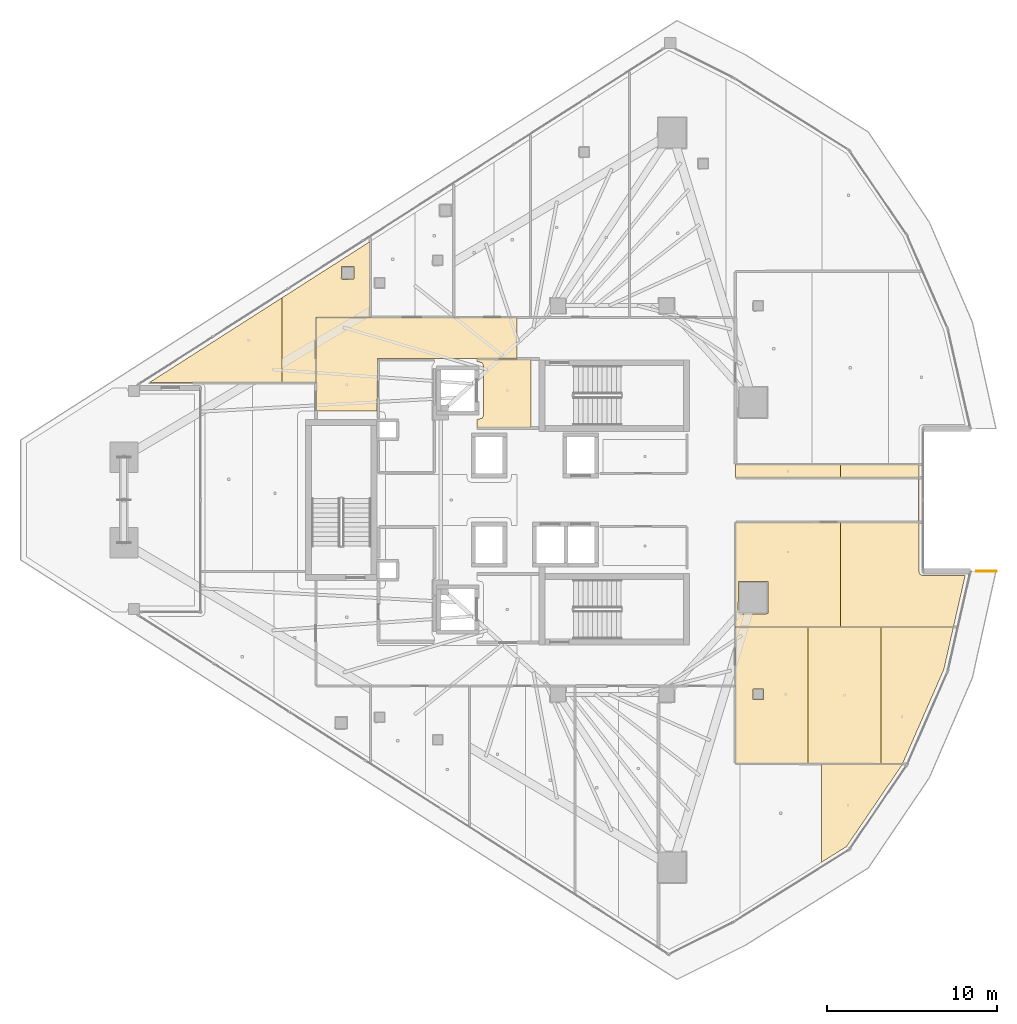
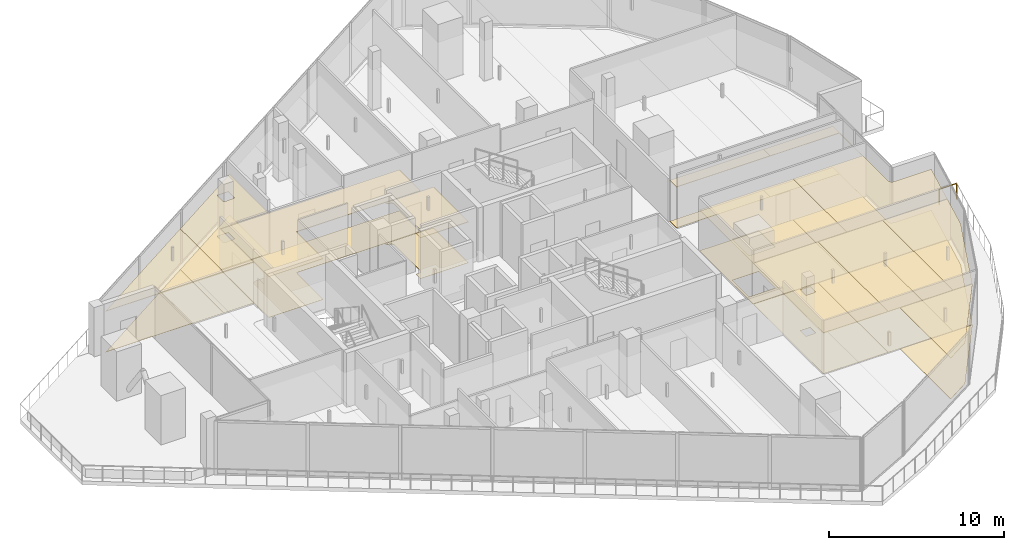
# One storey, part 34 of 36: 22 coverings, 1 railing.
"""IFC4 building model written with IfcOpenShell, lengths in metres."""

from ifc_helpers import new_model, si_unit, direction, frame, origin, origin_2d, place, context, subcontext, project, spatial, polyline, circle, outline, extrude, material, layer, layer_set, type_object, element, save


model = new_model("IFC4")

# Units and contexts
model_context = context("Model", 3, precision=1e-05, world=origin(), true_north=direction((0.0, 1.0)))
body_context = subcontext(model_context, "Body", "Model", "MODEL_VIEW")
ifc_project = project(units=[si_unit("LENGTHUNIT", "METRE"), si_unit("AREAUNIT", "SQUARE_METRE"), si_unit("VOLUMEUNIT", "CUBIC_METRE"), si_unit("PLANEANGLEUNIT", "RADIAN"), si_unit("MASSUNIT", "GRAM", prefix="KILO")], contexts=[model_context])

# Site, building, storey
site_placement = place(None, origin())
site = spatial("IfcSite", under=ifc_project, at=site_placement, CompositionType="ELEMENT")
building_placement = place(site_placement, origin())
building = spatial("IfcBuilding", under=site, at=building_placement, Name="Qorvath Tower", CompositionType="ELEMENT")
storey_placement = place(building_placement, frame((0.0, 0.0, 229.35009765625)))
storey = spatial("IfcBuildingStorey", under=building, at=storey_placement, Name="L53", CompositionType="ELEMENT", Elevation=229.35009765625)

# Coverings
ifc_material_1 = material(Name="Acoustic mineral fibre ceiling tile", Category="gypsum")
ifc_layer_1 = layer(ifc_material_1, 0.030029296875)
ifc_layer_set_1 = layer_set([ifc_layer_1], Name="COV-CEIL")
covering_type_1 = type_object("IfcCoveringType", Name="COV-CEIL", PredefinedType="CEILING", material=ifc_layer_set_1)
covering_1_placement = place(storey_placement, frame((0.0, 0.0, 2.849853515625)))
element("IfcCovering", 1, at=covering_1_placement, inside=storey, type_object=covering_type_1, Name="L53 Suspended Acoustic Ceiling 001", PredefinedType="CEILING", context=body_context, shape_type="SweptSolid", body=[
    extrude(outline(polyline([(-25.18994140625, 4.2548828125), (-25.18994140625, 8.294921875), (-28.375, 8.294921875), (-28.375, 8.159912109375), (-28.063232421875, 8.086669921875), (-27.989990234375, 7.909912109375), (-27.989990234375, 4.989990234375), (-28.063232421875, 4.813232421875), (-28.375, 4.739990234375), (-28.375, 4.2548828125), (-25.18994140625, 4.2548828125)])), origin(), (0.0, 0.0, 1.0), 0.030029296875),
])
covering_2_placement = place(storey_placement, frame((0.0, 0.0, 2.849853515625)))
element("IfcCovering", 2, at=covering_2_placement, inside=storey, type_object=covering_type_1, Name="L53 Suspended Acoustic Ceiling 008", PredefinedType="CEILING", context=body_context, shape_type="SweptSolid", body=[
    extrude(outline(polyline([(-26.019775390625, 8.324951171875), (-26.019775390625, 10.7451171875), (-37.844970703125, 10.7451171875), (-37.844970703125, 5.239990234375), (-34.2509765625, 5.239990234375), (-34.219970703125, 8.324951171875), (-26.019775390625, 8.324951171875)])), origin(), (0.0, 0.0, 1.0), 0.030029296875),
])
covering_3_placement = place(storey_placement, frame((0.0, 0.0, 2.849853515625)))
element("IfcCovering", 3, at=covering_3_placement, inside=storey, type_object=covering_type_1, Name="L53 Suspended Acoustic Ceiling 027", PredefinedType="CEILING", context=body_context, shape_type="SweptSolid", body=[
    extrude(outline(polyline([(-8.0791015625, -15.5419921875), (-8.0791015625, -21.34765625), (-6.59765625, -20.419921875), (-3.287353515625, -15.550048828125), (-8.0791015625, -15.5419921875)])), origin(), (0.0, 0.0, 1.0), 0.030029296875),
])
covering_4_placement = place(storey_placement, frame((0.0, 0.0, 2.849853515625)))
element("IfcCovering", 4, at=covering_4_placement, inside=storey, type_object=covering_type_1, Name="L53 Suspended Acoustic Ceiling 028", PredefinedType="CEILING", context=body_context, shape_type="SweptSolid", body=[
    extrude(outline(polyline([(-13.136962890625, -15.515869140625), (-8.857177734375, -15.522705078125), (-8.857177734375, -7.48583984375), (-13.136962890625, -7.48583984375), (-13.136962890625, -15.515869140625)]), holes=[polyline([(-12.117431640625, -11.767333984375), (-12.117431640625, -11.132568359375), (-11.482666015625, -11.132568359375), (-11.482666015625, -11.767333984375), (-12.117431640625, -11.767333984375)])]), origin(), (0.0, 0.0, 1.0), 0.030029296875),
])
covering_5_placement = place(storey_placement, frame((0.0, 0.0, 2.849853515625)))
element("IfcCovering", 5, at=covering_5_placement, inside=storey, type_object=covering_type_1, Name="L53 Suspended Acoustic Ceiling 029", PredefinedType="CEILING", context=body_context, shape_type="SweptSolid", body=[
    extrude(outline(polyline([(-8.857177734375, -7.48583984375), (-8.857177734375, -15.522705078125), (-4.57763671875, -15.52978515625), (-4.57763671875, -7.48583984375), (-8.857177734375, -7.48583984375)])), origin(), (0.0, 0.0, 1.0), 0.030029296875),
])
covering_6_placement = place(storey_placement, frame((0.0, 0.0, 2.849853515625)))
element("IfcCovering", 6, at=covering_6_placement, inside=storey, type_object=covering_type_1, Name="L53 Suspended Acoustic Ceiling 030", PredefinedType="CEILING", context=body_context, shape_type="SweptSolid", body=[
    extrude(outline(polyline([(-4.57763671875, -7.48583984375), (-4.57763671875, -15.52978515625), (-3.292724609375, -15.531982421875), (-0.86962890625, -9.998291015625), (-0.2978515625, -7.48583984375), (-4.57763671875, -7.48583984375)])), origin(), (0.0, 0.0, 1.0), 0.030029296875),
])
covering_7_placement = place(storey_placement, frame((0.0, 0.0, 2.849853515625)))
element("IfcCovering", 7, at=covering_7_placement, inside=storey, type_object=covering_type_1, Name="L53 Suspended Acoustic Ceiling 031", PredefinedType="CEILING", context=body_context, shape_type="SweptSolid", body=[
    extrude(outline(polyline([(-6.946533203125, -7.4677734375), (-6.946533203125, -1.31005859375), (-13.136962890625, -1.31298828125), (-13.136962890625, -7.4677734375), (-6.946533203125, -7.4677734375)]), holes=[polyline([(-12.981689453125, -6.657958984375), (-12.964111328125, -4.8154296875), (-11.2294921875, -4.8154296875), (-11.2294921875, -6.700439453125), (-12.921875, -6.718017578125), (-12.981689453125, -6.657958984375)])]), origin(), (0.0, 0.0, 1.0), 0.030029296875),
])
covering_8_placement = place(storey_placement, frame((0.0, 0.0, 2.849853515625)))
element("IfcCovering", 8, at=covering_8_placement, inside=storey, type_object=covering_type_1, Name="L53 Suspended Acoustic Ceiling 032", PredefinedType="CEILING", context=body_context, shape_type="SweptSolid", body=[
    extrude(outline(polyline([(-6.946533203125, 1.31298828125), (-6.946533203125, 2.09033203125), (-13.136962890625, 2.09033203125), (-13.136962890625, 1.31298828125), (-6.946533203125, 1.31298828125)])), origin(), (0.0, 0.0, 1.0), 0.030029296875),
])
covering_9_placement = place(storey_placement, frame((0.0, 0.0, 2.849853515625)))
element("IfcCovering", 9, at=covering_9_placement, inside=storey, type_object=covering_type_1, Name="L53 Suspended Acoustic Ceiling 033", PredefinedType="CEILING", context=body_context, shape_type="SweptSolid", body=[
    extrude(outline(polyline([(-2.247314453125, -4.3916015625), (-2.334716796875, -4.24462890625), (-2.339599609375, 2.09033203125), (-6.946533203125, 2.09033203125), (-6.946533203125, 1.31298828125), (-2.3564453125, 1.31298828125), (-2.3515625, -1.30810546875), (-6.946533203125, -1.31005859375), (-6.946533203125, -7.4677734375), (-0.293701171875, -7.4677734375), (0.39306640625, -4.45068359375), (-2.10888671875, -4.44970703125), (-2.247314453125, -4.3916015625)])), origin(), (0.0, 0.0, 1.0), 0.030029296875),
])
covering_10_placement = place(storey_placement, frame((0.0, 0.0, 2.849853515625)))
element("IfcCovering", 10, at=covering_10_placement, inside=storey, type_object=covering_type_1, Name="L53 Suspended Acoustic Ceiling 041", PredefinedType="CEILING", context=body_context, shape_type="SweptSolid", body=[
    extrude(outline(polyline([(-39.851318359375, 6.923828125), (-39.851318359375, 11.915283203125), (-47.6611328125, 6.923828125), (-39.851318359375, 6.923828125)])), origin(), (0.0, 0.0, 1.0), 0.030029296875),
])
covering_11_placement = place(storey_placement, frame((0.0, 0.0, 2.849853515625)))
element("IfcCovering", 11, at=covering_11_placement, inside=storey, type_object=covering_type_1, Name="L53 Suspended Acoustic Ceiling 042", PredefinedType="CEILING", context=body_context, shape_type="SweptSolid", body=[
    extrude(outline(polyline([(-37.85791015625, 10.762939453125), (-34.6630859375, 10.762939453125), (-34.6630859375, 15.231201171875), (-39.851318359375, 11.915283203125), (-39.851318359375, 6.923828125), (-37.863037109375, 6.923828125), (-37.85791015625, 10.762939453125)]), holes=[polyline([(-36.36572265625, 13.055908203125), (-36.34814453125, 13.748291015625), (-35.61328125, 13.748291015625), (-35.61328125, 13.013427734375), (-36.3056640625, 12.995849609375), (-36.36572265625, 13.055908203125)])]), origin(), (0.0, 0.0, 1.0), 0.030029296875),
])
ifc_material_2 = material(Name="Low-VOC modular carpet tile", Category="textile")
ifc_layer_2 = layer(ifc_material_2, 0.014892578125)
ifc_layer_set_2 = layer_set([ifc_layer_2], Name="COV-FLOOR-CPT")
covering_type_2 = type_object("IfcCoveringType", Name="COV-FLOOR-CPT", PredefinedType="FLOORING", material=ifc_layer_set_2)
covering_12_placement = place(storey_placement, origin())
element("IfcCovering", 12, at=covering_12_placement, inside=storey, type_object=covering_type_2, Name="L53 Floor Finish 027", PredefinedType="FLOORING", context=body_context, shape_type="SweptSolid", body=[
    extrude(outline(polyline([(-8.0791015625, -15.5419921875), (-8.0791015625, -21.34765625), (-6.59765625, -20.419921875), (-3.287353515625, -15.550048828125), (-8.0791015625, -15.5419921875)])), origin(), (0.0, 0.0, 1.0), 0.014892578125),
])
covering_13_placement = place(storey_placement, origin())
element("IfcCovering", 13, at=covering_13_placement, inside=storey, type_object=covering_type_2, Name="L53 Floor Finish 028", PredefinedType="FLOORING", context=body_context, shape_type="SweptSolid", body=[
    extrude(outline(polyline([(-13.136962890625, -15.515869140625), (-8.857177734375, -15.522705078125), (-8.857177734375, -7.48583984375), (-13.136962890625, -7.48583984375), (-13.136962890625, -15.515869140625)]), holes=[polyline([(-12.117431640625, -11.767333984375), (-12.117431640625, -11.132568359375), (-11.482666015625, -11.132568359375), (-11.482666015625, -11.767333984375), (-12.117431640625, -11.767333984375)])]), origin(), (0.0, 0.0, 1.0), 0.014892578125),
])
covering_14_placement = place(storey_placement, origin())
element("IfcCovering", 14, at=covering_14_placement, inside=storey, type_object=covering_type_2, Name="L53 Floor Finish 029", PredefinedType="FLOORING", context=body_context, shape_type="SweptSolid", body=[
    extrude(outline(polyline([(-8.857177734375, -7.48583984375), (-8.857177734375, -15.522705078125), (-4.57763671875, -15.52978515625), (-4.57763671875, -7.48583984375), (-8.857177734375, -7.48583984375)])), origin(), (0.0, 0.0, 1.0), 0.014892578125),
])
covering_15_placement = place(storey_placement, origin())
element("IfcCovering", 15, at=covering_15_placement, inside=storey, type_object=covering_type_2, Name="L53 Floor Finish 030", PredefinedType="FLOORING", context=body_context, shape_type="SweptSolid", body=[
    extrude(outline(polyline([(-4.57763671875, -7.48583984375), (-4.57763671875, -15.52978515625), (-3.292724609375, -15.531982421875), (-0.86962890625, -9.998291015625), (-0.2978515625, -7.48583984375), (-4.57763671875, -7.48583984375)])), origin(), (0.0, 0.0, 1.0), 0.014892578125),
])
covering_16_placement = place(storey_placement, origin())
element("IfcCovering", 16, at=covering_16_placement, inside=storey, type_object=covering_type_2, Name="L53 Floor Finish 031", PredefinedType="FLOORING", context=body_context, shape_type="SweptSolid", body=[
    extrude(outline(polyline([(-6.946533203125, -7.4677734375), (-6.946533203125, -1.31005859375), (-13.136962890625, -1.31298828125), (-13.136962890625, -7.4677734375), (-6.946533203125, -7.4677734375)]), holes=[polyline([(-12.981689453125, -6.657958984375), (-12.964111328125, -4.8154296875), (-11.2294921875, -4.8154296875), (-11.2294921875, -6.700439453125), (-12.921875, -6.718017578125), (-12.981689453125, -6.657958984375)])]), origin(), (0.0, 0.0, 1.0), 0.014892578125),
])
covering_17_placement = place(storey_placement, origin())
element("IfcCovering", 17, at=covering_17_placement, inside=storey, type_object=covering_type_2, Name="L53 Floor Finish 032", PredefinedType="FLOORING", context=body_context, shape_type="SweptSolid", body=[
    extrude(outline(polyline([(-6.946533203125, 1.31298828125), (-6.946533203125, 2.09033203125), (-13.136962890625, 2.09033203125), (-13.136962890625, 1.31298828125), (-6.946533203125, 1.31298828125)])), origin(), (0.0, 0.0, 1.0), 0.014892578125),
])
covering_18_placement = place(storey_placement, origin())
element("IfcCovering", 18, at=covering_18_placement, inside=storey, type_object=covering_type_2, Name="L53 Floor Finish 033", PredefinedType="FLOORING", context=body_context, shape_type="SweptSolid", body=[
    extrude(outline(polyline([(-2.247314453125, -4.3916015625), (-2.334716796875, -4.24462890625), (-2.339599609375, 2.09033203125), (-6.946533203125, 2.09033203125), (-6.946533203125, 1.31298828125), (-2.3564453125, 1.31298828125), (-2.3515625, -1.30810546875), (-6.946533203125, -1.31005859375), (-6.946533203125, -7.4677734375), (-0.293701171875, -7.4677734375), (0.39306640625, -4.45068359375), (-2.10888671875, -4.44970703125), (-2.247314453125, -4.3916015625)])), origin(), (0.0, 0.0, 1.0), 0.014892578125),
])
covering_19_placement = place(storey_placement, origin())
element("IfcCovering", 19, at=covering_19_placement, inside=storey, type_object=covering_type_2, Name="L53 Floor Finish 041", PredefinedType="FLOORING", context=body_context, shape_type="SweptSolid", body=[
    extrude(outline(polyline([(-39.851318359375, 6.923828125), (-39.851318359375, 11.915283203125), (-47.6611328125, 6.923828125), (-39.851318359375, 6.923828125)])), origin(), (0.0, 0.0, 1.0), 0.014892578125),
])
covering_20_placement = place(storey_placement, origin())
element("IfcCovering", 20, at=covering_20_placement, inside=storey, type_object=covering_type_2, Name="L53 Floor Finish 042", PredefinedType="FLOORING", context=body_context, shape_type="SweptSolid", body=[
    extrude(outline(polyline([(-37.85791015625, 10.762939453125), (-34.6630859375, 10.762939453125), (-34.6630859375, 15.231201171875), (-39.851318359375, 11.915283203125), (-39.851318359375, 6.923828125), (-37.863037109375, 6.923828125), (-37.85791015625, 10.762939453125)]), holes=[polyline([(-36.36572265625, 13.055908203125), (-36.34814453125, 13.748291015625), (-35.61328125, 13.748291015625), (-35.61328125, 13.013427734375), (-36.3056640625, 12.995849609375), (-36.36572265625, 13.055908203125)])]), origin(), (0.0, 0.0, 1.0), 0.014892578125),
])
ifc_material_3 = material(Name="Polished epoxy terrazzo flooring", Category="concrete")
ifc_layer_3 = layer(ifc_material_3, 0.02001953125)
ifc_layer_set_3 = layer_set([ifc_layer_3], Name="COV-FLOOR-TRZ")
covering_type_3 = type_object("IfcCoveringType", Name="COV-FLOOR-TRZ", PredefinedType="FLOORING", material=ifc_layer_set_3)
covering_21_placement = place(storey_placement, origin())
element("IfcCovering", 21, at=covering_21_placement, inside=storey, type_object=covering_type_3, Name="L53 Floor Finish 001", PredefinedType="FLOORING", context=body_context, shape_type="SweptSolid", body=[
    extrude(outline(polyline([(-25.18994140625, 4.2548828125), (-25.18994140625, 8.294921875), (-28.375, 8.294921875), (-28.375, 8.159912109375), (-28.063232421875, 8.086669921875), (-27.989990234375, 7.909912109375), (-27.989990234375, 4.989990234375), (-28.063232421875, 4.813232421875), (-28.375, 4.739990234375), (-28.375, 4.2548828125), (-25.18994140625, 4.2548828125)])), origin(), (0.0, 0.0, 1.0), 0.014892578125),
])
covering_22_placement = place(storey_placement, origin())
element("IfcCovering", 22, at=covering_22_placement, inside=storey, type_object=covering_type_3, Name="L53 Floor Finish 008", PredefinedType="FLOORING", context=body_context, shape_type="SweptSolid", body=[
    extrude(outline(polyline([(-26.019775390625, 8.324951171875), (-26.019775390625, 10.7451171875), (-37.844970703125, 10.7451171875), (-37.844970703125, 5.239990234375), (-34.2509765625, 5.239990234375), (-34.219970703125, 8.324951171875), (-26.019775390625, 8.324951171875)])), origin(), (0.0, 0.0, 1.0), 0.014892578125),
])

# Railing
ifc_material_4 = material(Name="Laminated safety glass and stainless steel AISI 316", Category="steel")
railing_type = type_object("IfcRailingType", Name="RL-EXT-GRD", PredefinedType="GUARDRAIL", material=ifc_material_4)
railing_placement = place(storey_placement, frame((1.0625, -4.19580078125, 0.0)))
element("IfcRailing", 23, at=railing_placement, inside=storey, type_object=railing_type, Name="Loggia Perimeter Guardrail L53-1.2", PredefinedType="GUARDRAIL", context=body_context, shape_type="SweptSolid", body=[
    extrude(circle(Radius=0.02392578125, at=origin_2d()), frame((0.0, 0.0, 1.09619140625), z_axis=(1.0, 0.0, 0.0), x_axis=(0.0, 1.0, 0.0)), (0.0, 0.0, 1.0), 1.15869140625),
    extrude(circle(Radius=0.02099609375, at=origin_2d()), origin(), (0.0, 0.0, 1.0), 1.072021484375),
    extrude(circle(Radius=0.02099609375, at=origin_2d()), frame((1.15869140625, 0.0, 0.0)), (0.0, 0.0, 1.0), 1.072021484375),
])

save(model, "model.ifc")
